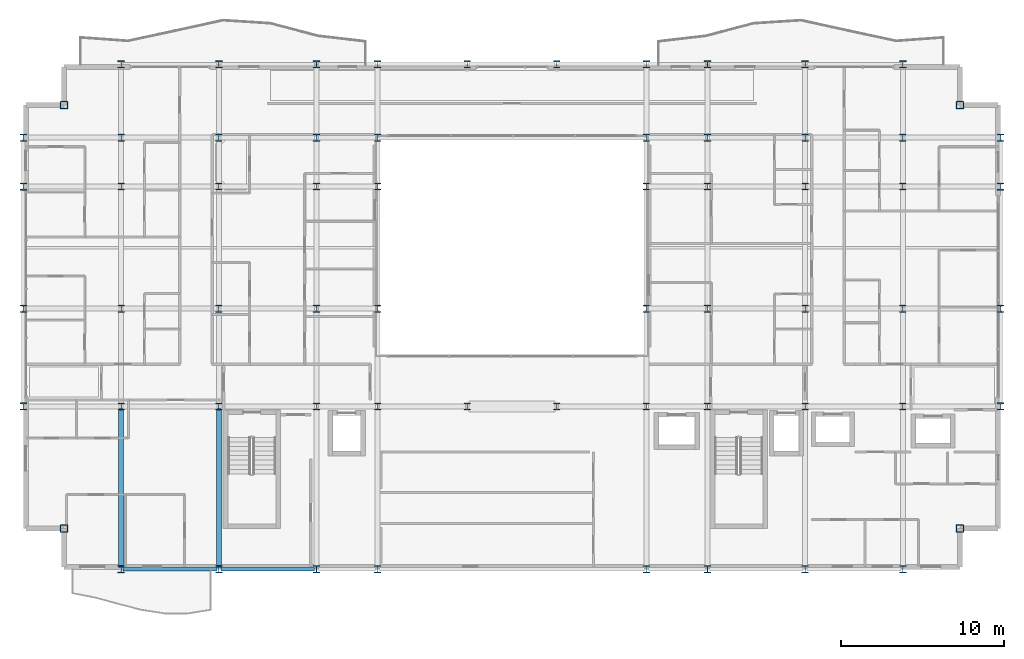
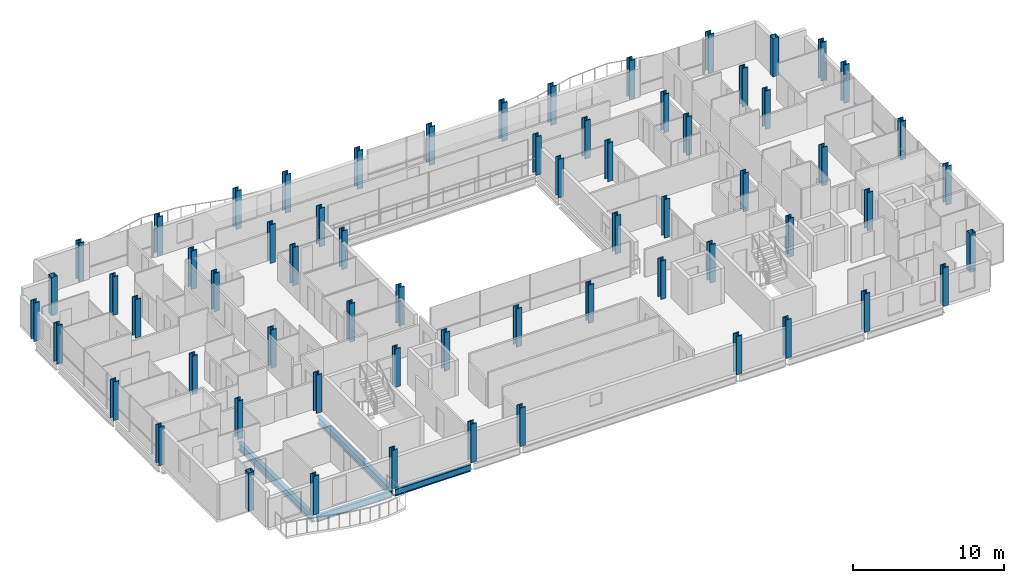
# One storey, part 1 of 40: 64 columns, 4 beams.
"""IFC4 building model written with IfcOpenShell, lengths in metres."""

from ifc_helpers import new_model, si_unit, direction, frame, origin, origin_2d, place, context, subcontext, project, spatial, hollow_rectangle, i_section, extrude, material, material_profile, profile_set, type_object, element, save


model = new_model("IFC4")

# Units and contexts
model_context = context("Model", 3, precision=1e-05, world=origin(), true_north=direction((0.0, 1.0)))
body_context = subcontext(model_context, "Body", "Model", "MODEL_VIEW")
ifc_project = project(units=[si_unit("LENGTHUNIT", "METRE"), si_unit("AREAUNIT", "SQUARE_METRE"), si_unit("VOLUMEUNIT", "CUBIC_METRE"), si_unit("PLANEANGLEUNIT", "RADIAN"), si_unit("MASSUNIT", "GRAM", prefix="KILO")], contexts=[model_context])

# Site, building, storey
site_placement = place(None, origin())
site = spatial("IfcSite", under=ifc_project, at=site_placement, CompositionType="ELEMENT")
building_placement = place(site_placement, origin())
building = spatial("IfcBuilding", under=site, at=building_placement, Name="Brevholm Reach", CompositionType="ELEMENT")
storey_placement = place(building_placement, frame((0.0, 0.0, 62.10009765625)))
storey = spatial("IfcBuildingStorey", under=building, at=storey_placement, Name="L17", CompositionType="ELEMENT", Elevation=62.10009765625)

# Columns
ifc_material_1 = material(Name="Structural Steel S460NH", Category="steel")
ifc_material_profile_1 = material_profile(ifc_material_1, hollow_rectangle(XDim=0.449951171875, YDim=0.449951171875, WallThickness=0.02490234375, InnerFilletRadius=0.011962890625, OuterFilletRadius=0.02392578125, at=origin_2d()), Name="SHS 450x450x25")
ifc_profile_set_1 = profile_set([ifc_material_profile_1], Name="Structural Steel S460NH")
column_type_1 = type_object("IfcColumnType", Name="COL-SHS1", PredefinedType="COLUMN", material=ifc_profile_set_1)
for number, where, z_axis, x_axis, name in (
    (1, (2.5, 2.5, 0.0), (0.0, 0.0, 1.0), (1.0, 0.0, 0.0), "L17 Column 05"),
    (2, (2.5, 28.5, 0.0), (0.0, 0.0, 1.0), (1.0, 0.0, 0.0), "L17 Column 06"),
    (3, (57.5, 2.5, 0.0), (0.0, 0.0, 1.0), (1.0, 0.0, 0.0), "L17 Column 59"),
    (4, (57.5, 28.5, 0.0), (0.0, 0.0, 1.0), (1.0, 0.0, 0.0), "L17 Column 60"),
):
    element("IfcColumn", number, at=place(storey_placement, frame(where, z_axis=z_axis, x_axis=x_axis)), inside=storey, type_object=column_type_1, Name=name, PredefinedType="COLUMN", context=body_context, shape_type="SweptSolid", body=[
        extrude(hollow_rectangle(XDim=0.449951171875, YDim=0.449951171875, WallThickness=0.02490234375, InnerFilletRadius=0.011962890625, OuterFilletRadius=0.02392578125, at=origin_2d()), origin(), (0.0, 0.0, 1.0), 3.099853515625),
    ])
ifc_material_2 = material(Name="Structural Steel S460ML", Category="steel")
ifc_material_profile_2 = material_profile(ifc_material_2, i_section(OverallWidth=0.41845703125, OverallDepth=0.45556640625, WebThickness=0.0419921875, FlangeThickness=0.0673828125, FilletRadius=0.01513671875, at=origin_2d()), Name="UKC 356x406x551")
ifc_profile_set_2 = profile_set([ifc_material_profile_2], Name="Structural Steel S460ML")
column_type_2 = type_object("IfcColumnType", Name="COL-UC2", PredefinedType="COLUMN", material=ifc_profile_set_2)
for number, where, z_axis, x_axis, name in (
    (5, (0.0, 10.0, 0.0), (0.0, 0.0, 1.0), (1.0, 0.0, 0.0), "L17 Column 01"),
    (6, (0.0, 16.0, 0.0), (0.0, 0.0, 1.0), (1.0, 0.0, 0.0), "L17 Column 02"),
    (7, (0.0, 23.5, 0.0), (0.0, 0.0, 1.0), (1.0, 0.0, 0.0), "L17 Column 03"),
    (8, (0.0, 26.5, 0.0), (0.0, 0.0, 1.0), (1.0, 0.0, 0.0), "L17 Column 04"),
    (9, (6.0, 0.0, 0.0), (0.0, 0.0, 1.0), (1.0, 0.0, 0.0), "L17 Column 07"),
    (10, (6.0, 31.0, 0.0), (0.0, 0.0, 1.0), (1.0, 0.0, 0.0), "L17 Column 12"),
    (11, (12.0, 0.0, 0.0), (0.0, 0.0, 1.0), (1.0, 0.0, 0.0), "L17 Column 13"),
    (12, (12.0, 31.0, 0.0), (0.0, 0.0, 1.0), (1.0, 0.0, 0.0), "L17 Column 18"),
    (13, (18.0, 0.0, 0.0), (0.0, 0.0, 1.0), (1.0, 0.0, 0.0), "L17 Column 19"),
    (14, (18.0, 31.0, 0.0), (0.0, 0.0, 1.0), (1.0, 0.0, 0.0), "L17 Column 24"),
    (15, (21.75, 0.0, 0.0), (0.0, 0.0, 1.0), (1.0, 0.0, 0.0), "L17 Column 25"),
    (16, (21.75, 31.0, 0.0), (0.0, 0.0, 1.0), (1.0, 0.0, 0.0), "L17 Column 30"),
    (17, (27.25, 31.0, 0.0), (0.0, 0.0, 1.0), (1.0, 0.0, 0.0), "L17 Column 32"),
    (18, (32.75, 31.0, 0.0), (0.0, 0.0, 1.0), (1.0, 0.0, 0.0), "L17 Column 34"),
    (19, (38.25, 0.0, 0.0), (0.0, 0.0, 1.0), (1.0, 0.0, 0.0), "L17 Column 35"),
    (20, (38.25, 31.0, 0.0), (0.0, 0.0, 1.0), (1.0, 0.0, 0.0), "L17 Column 40"),
    (21, (42.0, 0.0, 0.0), (0.0, 0.0, 1.0), (1.0, 0.0, 0.0), "L17 Column 41"),
    (22, (42.0, 31.0, 0.0), (0.0, 0.0, 1.0), (1.0, 0.0, 0.0), "L17 Column 46"),
    (23, (48.0, 0.0, 0.0), (0.0, 0.0, 1.0), (1.0, 0.0, 0.0), "L17 Column 47"),
    (24, (48.0, 31.0, 0.0), (0.0, 0.0, 1.0), (1.0, 0.0, 0.0), "L17 Column 52"),
    (25, (54.0, 0.0, 0.0), (0.0, 0.0, 1.0), (1.0, 0.0, 0.0), "L17 Column 53"),
    (26, (54.0, 31.0, 0.0), (0.0, 0.0, 1.0), (1.0, 0.0, 0.0), "L17 Column 58"),
    (27, (60.0, 10.0, 0.0), (0.0, 0.0, 1.0), (1.0, 0.0, 0.0), "L17 Column 61"),
    (28, (60.0, 16.0, 0.0), (0.0, 0.0, 1.0), (1.0, 0.0, 0.0), "L17 Column 62"),
    (29, (60.0, 23.5, 0.0), (0.0, 0.0, 1.0), (1.0, 0.0, 0.0), "L17 Column 63"),
    (30, (60.0, 26.5, 0.0), (0.0, 0.0, 1.0), (1.0, 0.0, 0.0), "L17 Column 64"),
):
    element("IfcColumn", number, at=place(storey_placement, frame(where, z_axis=z_axis, x_axis=x_axis)), inside=storey, type_object=column_type_2, Name=name, PredefinedType="COLUMN", context=body_context, shape_type="SweptSolid", body=[
        extrude(i_section(OverallWidth=0.41845703125, OverallDepth=0.45556640625, WebThickness=0.0419921875, FlangeThickness=0.0673828125, FilletRadius=0.01513671875, at=origin_2d()), origin(), (0.0, 0.0, 1.0), 3.099853515625),
    ])
ifc_material_3 = material(Name="Structural Steel S460ML", Category="steel")
ifc_material_profile_3 = material_profile(ifc_material_3, i_section(OverallWidth=0.412109375, OverallDepth=0.4365234375, WebThickness=0.035888671875, FlangeThickness=0.05810546875, FilletRadius=0.01513671875, at=origin_2d()), Name="UKC 356x406x467")
ifc_profile_set_3 = profile_set([ifc_material_profile_3], Name="Structural Steel S460ML")
column_type_3 = type_object("IfcColumnType", Name="COL-UC3", PredefinedType="COLUMN", material=ifc_profile_set_3)
for number, where, z_axis, x_axis, name in (
    (31, (6.0, 10.0, 0.0), (0.0, 0.0, 1.0), (1.0, 0.0, 0.0), "L17 Column 08"),
    (32, (6.0, 16.0, 0.0), (0.0, 0.0, 1.0), (1.0, 0.0, 0.0), "L17 Column 09"),
    (33, (6.0, 23.5, 0.0), (0.0, 0.0, 1.0), (1.0, 0.0, 0.0), "L17 Column 10"),
    (34, (6.0, 26.5, 0.0), (0.0, 0.0, 1.0), (1.0, 0.0, 0.0), "L17 Column 11"),
    (35, (12.0, 10.0, 0.0), (0.0, 0.0, 1.0), (1.0, 0.0, 0.0), "L17 Column 14"),
    (36, (12.0, 16.0, 0.0), (0.0, 0.0, 1.0), (1.0, 0.0, 0.0), "L17 Column 15"),
    (37, (12.0, 23.5, 0.0), (0.0, 0.0, 1.0), (1.0, 0.0, 0.0), "L17 Column 16"),
    (38, (12.0, 26.5, 0.0), (0.0, 0.0, 1.0), (1.0, 0.0, 0.0), "L17 Column 17"),
    (39, (18.0, 10.0, 0.0), (0.0, 0.0, 1.0), (1.0, 0.0, 0.0), "L17 Column 20"),
    (40, (18.0, 16.0, 0.0), (0.0, 0.0, 1.0), (1.0, 0.0, 0.0), "L17 Column 21"),
    (41, (18.0, 23.5, 0.0), (0.0, 0.0, 1.0), (1.0, 0.0, 0.0), "L17 Column 22"),
    (42, (18.0, 26.5, 0.0), (0.0, 0.0, 1.0), (1.0, 0.0, 0.0), "L17 Column 23"),
    (43, (21.75, 10.0, 0.0), (0.0, 0.0, 1.0), (1.0, 0.0, 0.0), "L17 Column 26"),
    (44, (21.75, 16.0, 0.0), (0.0, 0.0, 1.0), (1.0, 0.0, 0.0), "L17 Column 27"),
    (45, (21.75, 23.5, 0.0), (0.0, 0.0, 1.0), (1.0, 0.0, 0.0), "L17 Column 28"),
    (46, (21.75, 26.5, 0.0), (0.0, 0.0, 1.0), (1.0, 0.0, 0.0), "L17 Column 29"),
    (47, (27.25, 10.0, 0.0), (0.0, 0.0, 1.0), (1.0, 0.0, 0.0), "L17 Column 31"),
    (48, (32.75, 10.0, 0.0), (0.0, 0.0, 1.0), (1.0, 0.0, 0.0), "L17 Column 33"),
    (49, (38.25, 10.0, 0.0), (0.0, 0.0, 1.0), (1.0, 0.0, 0.0), "L17 Column 36"),
    (50, (38.25, 16.0, 0.0), (0.0, 0.0, 1.0), (1.0, 0.0, 0.0), "L17 Column 37"),
    (51, (38.25, 23.5, 0.0), (0.0, 0.0, 1.0), (1.0, 0.0, 0.0), "L17 Column 38"),
    (52, (38.25, 26.5, 0.0), (0.0, 0.0, 1.0), (1.0, 0.0, 0.0), "L17 Column 39"),
    (53, (42.0, 10.0, 0.0), (0.0, 0.0, 1.0), (1.0, 0.0, 0.0), "L17 Column 42"),
    (54, (42.0, 16.0, 0.0), (0.0, 0.0, 1.0), (1.0, 0.0, 0.0), "L17 Column 43"),
    (55, (42.0, 23.5, 0.0), (0.0, 0.0, 1.0), (1.0, 0.0, 0.0), "L17 Column 44"),
    (56, (42.0, 26.5, 0.0), (0.0, 0.0, 1.0), (1.0, 0.0, 0.0), "L17 Column 45"),
    (57, (48.0, 10.0, 0.0), (0.0, 0.0, 1.0), (1.0, 0.0, 0.0), "L17 Column 48"),
    (58, (48.0, 16.0, 0.0), (0.0, 0.0, 1.0), (1.0, 0.0, 0.0), "L17 Column 49"),
    (59, (48.0, 23.5, 0.0), (0.0, 0.0, 1.0), (1.0, 0.0, 0.0), "L17 Column 50"),
    (60, (48.0, 26.5, 0.0), (0.0, 0.0, 1.0), (1.0, 0.0, 0.0), "L17 Column 51"),
    (61, (54.0, 10.0, 0.0), (0.0, 0.0, 1.0), (1.0, 0.0, 0.0), "L17 Column 54"),
    (62, (54.0, 16.0, 0.0), (0.0, 0.0, 1.0), (1.0, 0.0, 0.0), "L17 Column 55"),
    (63, (54.0, 23.5, 0.0), (0.0, 0.0, 1.0), (1.0, 0.0, 0.0), "L17 Column 56"),
    (64, (54.0, 26.5, 0.0), (0.0, 0.0, 1.0), (1.0, 0.0, 0.0), "L17 Column 57"),
):
    element("IfcColumn", number, at=place(storey_placement, frame(where, z_axis=z_axis, x_axis=x_axis)), inside=storey, type_object=column_type_3, Name=name, PredefinedType="COLUMN", context=body_context, shape_type="SweptSolid", body=[
        extrude(i_section(OverallWidth=0.412109375, OverallDepth=0.4365234375, WebThickness=0.035888671875, FlangeThickness=0.05810546875, FilletRadius=0.01513671875, at=origin_2d()), origin(), (0.0, 0.0, 1.0), 3.099853515625),
    ])

# Beams
ifc_material_4 = material(Name="Structural Steel S355J2", Category="steel")
ifc_material_profile_4 = material_profile(ifc_material_4, i_section(OverallWidth=0.210693359375, OverallDepth=0.53955078125, WebThickness=0.01171875, FlangeThickness=0.018798828125, FilletRadius=0.0126953125, at=origin_2d()), Name="UKB 533x210x109")
ifc_profile_set_4 = profile_set([ifc_material_profile_4], Name="Structural Steel S355J2")
beam_type_1 = type_object("IfcBeamType", Name="BM-SP539", PredefinedType="SPANDREL", material=ifc_profile_set_4)
for number, where, z_axis, x_axis, name in (
    (65, (6.1201171875, 0.0, -0.499755859375), (1.0, 0.0, 0.0), (0.0, 1.0, 0.0), "L17 SP-01B Framing Beam"),
    (66, (12.1201171875, 0.0, -0.499755859375), (1.0, 0.0, 0.0), (0.0, 1.0, 0.0), "L17 SP-01B Framing Beam"),
):
    element("IfcBeam", number, at=place(storey_placement, frame(where, z_axis=z_axis, x_axis=x_axis)), inside=storey, type_object=beam_type_1, Name=name, PredefinedType="SPANDREL", context=body_context, shape_type="SweptSolid", body=[
        extrude(i_section(OverallWidth=0.210693359375, OverallDepth=0.53955078125, WebThickness=0.01171875, FlangeThickness=0.018798828125, FilletRadius=0.0126953125, at=origin_2d()), origin(), (0.0, 0.0, 1.0), 5.759765625),
    ])
ifc_material_5 = material(Name="Structural Steel S355J2", Category="steel")
ifc_material_profile_5 = material_profile(ifc_material_5, i_section(OverallWidth=0.30712890625, OverallDepth=0.6201171875, WebThickness=0.01416015625, FlangeThickness=0.023681640625, FilletRadius=0.0166015625, at=origin_2d()), Name="UKB 610x305x179")
ifc_profile_set_5 = profile_set([ifc_material_profile_5], Name="Structural Steel S355J2")
beam_type_2 = type_object("IfcBeamType", Name="BM-UKB610H", PredefinedType="USERDEFINED", material=ifc_profile_set_5)
for number, where, z_axis, x_axis, name in (
    (67, (6.0, 0.1201171875, -0.540283203125), (0.0, 1.0, 0.0), (-1.0, 0.0, 0.0), "L17 G-06 Framing Beam"),
    (68, (12.0, 0.1201171875, -0.540283203125), (0.0, 1.0, 0.0), (-1.0, 0.0, 0.0), "L17 G-06 Framing Beam"),
):
    element("IfcBeam", number, at=place(storey_placement, frame(where, z_axis=z_axis, x_axis=x_axis)), inside=storey, type_object=beam_type_2, Name=name, ObjectType="GIRDER", PredefinedType="USERDEFINED", context=body_context, shape_type="SweptSolid", body=[
        extrude(i_section(OverallWidth=0.30712890625, OverallDepth=0.6201171875, WebThickness=0.01416015625, FlangeThickness=0.023681640625, FilletRadius=0.0166015625, at=origin_2d()), origin(), (0.0, 0.0, 1.0), 9.759765625),
    ])

save(model, "model.ifc")
